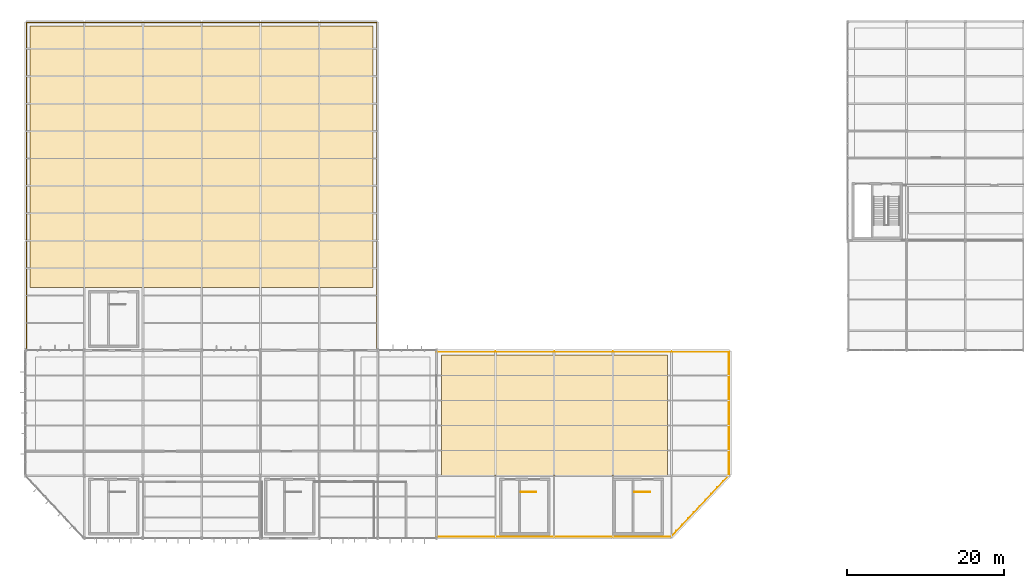
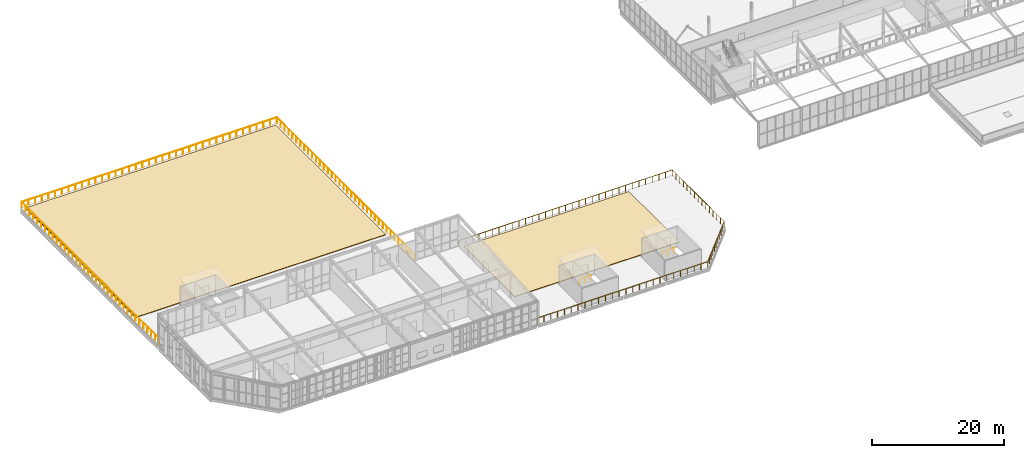
# One storey, part 102 of 104: 4 railings, 2 coverings.
"""IFC4 building model written with IfcOpenShell, lengths in metres."""

from ifc_helpers import new_model, si_unit, direction, frame, origin, origin_2d, place, context, subcontext, project, spatial, polyline, circle, outline, extrude, material, layer, layer_set, type_object, element, save


model = new_model("IFC4")

# Units and contexts
model_context = context("Model", 3, precision=1e-05, world=origin(), true_north=direction((0.0, 1.0)))
body_context = subcontext(model_context, "Body", "Model", "MODEL_VIEW")
ifc_project = project(units=[si_unit("LENGTHUNIT", "METRE"), si_unit("AREAUNIT", "SQUARE_METRE"), si_unit("VOLUMEUNIT", "CUBIC_METRE"), si_unit("PLANEANGLEUNIT", "RADIAN"), si_unit("MASSUNIT", "GRAM", prefix="KILO")], contexts=[model_context])

# Site, building, storey
site_placement = place(None, origin())
site = spatial("IfcSite", under=ifc_project, at=site_placement, CompositionType="ELEMENT")
building_placement = place(site_placement, origin())
building = spatial("IfcBuilding", under=site, at=building_placement, Name="Solvenia Promenade Tram Depot", CompositionType="ELEMENT")
storey_placement = place(building_placement, frame((0.0, 0.0, 9.0)))
storey = spatial("IfcBuildingStorey", under=building, at=storey_placement, Name="L02", CompositionType="ELEMENT", Elevation=9.0)

# Railings
ifc_material_1 = material(Name="Anodized aluminium AW-6063 T6", Category="aluminium")
railing_type_1 = type_object("IfcRailingType", Name="Guard-Stair-1100", PredefinedType="GUARDRAIL", material=ifc_material_1)
railing_1_placement = place(storey_placement, frame((63.25, 5.919921875, 0.0)))
element("IfcRailing", 1, at=railing_1_placement, inside=storey, type_object=railing_type_1, Name="Top Stairwell Guard C3", PredefinedType="GUARDRAIL", context=body_context, shape_type="SweptSolid", body=[
    extrude(circle(Radius=0.02392578125, at=origin_2d()), frame((0.0, 0.0, 1.09619140625), z_axis=(1.0, 0.0, 0.0), x_axis=(0.0, 1.0, 0.0)), (0.0, 0.0, 1.0), 1.93994140625),
    extrude(circle(Radius=0.02099609375, at=origin_2d()), origin(), (0.0, 0.0, 1.0), 1.072021484375),
    extrude(circle(Radius=0.02099609375, at=origin_2d()), frame((0.969970703125, 0.0, 0.0)), (0.0, 0.0, 1.0), 1.072021484375),
    extrude(circle(Radius=0.02099609375, at=origin_2d()), frame((1.93994140625, 0.0, 0.0)), (0.0, 0.0, 1.0), 1.072021484375),
])
railing_2_placement = place(storey_placement, frame((77.75, 5.919921875, 0.0)))
element("IfcRailing", 2, at=railing_2_placement, inside=storey, type_object=railing_type_1, Name="Top Stairwell Guard C4", PredefinedType="GUARDRAIL", context=body_context, shape_type="SweptSolid", body=[
    extrude(circle(Radius=0.02392578125, at=origin_2d()), frame((0.0, 0.0, 1.09619140625), z_axis=(1.0, 0.0, 0.0), x_axis=(0.0, 1.0, 0.0)), (0.0, 0.0, 1.0), 2.0),
    extrude(circle(Radius=0.02099609375, at=origin_2d()), origin(), (0.0, 0.0, 1.0), 1.072021484375),
    extrude(circle(Radius=0.02099609375, at=origin_2d()), frame((1.0, 0.0, 0.0)), (0.0, 0.0, 1.0), 1.072021484375),
    extrude(circle(Radius=0.02099609375, at=origin_2d()), frame((2.0, 0.0, 0.0)), (0.0, 0.0, 1.0), 1.072021484375),
])
railing_type_2 = type_object("IfcRailingType", Name="Guard-Terrace-1100", PredefinedType="GUARDRAIL", material=ifc_material_1)
railing_3_placement = place(storey_placement, frame((0.14990234375, 24.14990234375, 0.0)))
element("IfcRailing", 3, at=railing_3_placement, inside=storey, type_object=railing_type_2, Name="Safety Guardrail GR-TERR-L02-V3", PredefinedType="GUARDRAIL", context=body_context, shape_type="SweptSolid", body=[
    extrude(circle(Radius=0.02392578125, at=origin_2d()), frame((0.0, 0.0, 1.09619140625), z_axis=(0.0, 1.0, 0.0), x_axis=(-1.0, 0.0, 0.0)), (0.0, 0.0, 1.0), 41.7001953125),
    extrude(circle(Radius=0.02392578125, at=origin_2d()), frame((0.0, 41.7001953125, 1.09619140625), z_axis=(1.0, 0.0, 0.0), x_axis=(0.0, 1.0, 0.0)), (0.0, 0.0, 1.0), 44.7001953125),
    extrude(circle(Radius=0.02392578125, at=origin_2d()), frame((44.7001953125, 41.7001953125, 1.09619140625), z_axis=(0.0, -1.0, 0.0), x_axis=(1.0, 0.0, 0.0)), (0.0, 0.0, 1.0), 41.7001953125),
    extrude(circle(Radius=0.02099609375, at=origin_2d()), origin(), (0.0, 0.0, 1.0), 1.072021484375),
    extrude(circle(Radius=0.02099609375, at=origin_2d()), frame((0.0, 1.19140625, 0.0)), (0.0, 0.0, 1.0), 1.072021484375),
    extrude(circle(Radius=0.02099609375, at=origin_2d()), frame((0.0, 2.3828125, 0.0)), (0.0, 0.0, 1.0), 1.072021484375),
    extrude(circle(Radius=0.02099609375, at=origin_2d()), frame((0.0, 3.57421875, 0.0)), (0.0, 0.0, 1.0), 1.072021484375),
    extrude(circle(Radius=0.02099609375, at=origin_2d()), frame((0.0, 4.765625, 0.0)), (0.0, 0.0, 1.0), 1.072021484375),
    extrude(circle(Radius=0.02099609375, at=origin_2d()), frame((0.0, 5.957275390625, 0.0)), (0.0, 0.0, 1.0), 1.072021484375),
    extrude(circle(Radius=0.02099609375, at=origin_2d()), frame((0.0, 7.148681640625, 0.0)), (0.0, 0.0, 1.0), 1.072021484375),
    extrude(circle(Radius=0.02099609375, at=origin_2d()), frame((0.0, 8.340087890625, 0.0)), (0.0, 0.0, 1.0), 1.072021484375),
    extrude(circle(Radius=0.02099609375, at=origin_2d()), frame((0.0, 9.531494140625, 0.0)), (0.0, 0.0, 1.0), 1.072021484375),
    extrude(circle(Radius=0.02099609375, at=origin_2d()), frame((0.0, 10.722900390625, 0.0)), (0.0, 0.0, 1.0), 1.072021484375),
    extrude(circle(Radius=0.02099609375, at=origin_2d()), frame((0.0, 11.914306640625, 0.0)), (0.0, 0.0, 1.0), 1.072021484375),
    extrude(circle(Radius=0.02099609375, at=origin_2d()), frame((0.0, 13.105712890625, 0.0)), (0.0, 0.0, 1.0), 1.072021484375),
    extrude(circle(Radius=0.02099609375, at=origin_2d()), frame((0.0, 14.297119140625, 0.0)), (0.0, 0.0, 1.0), 1.072021484375),
    extrude(circle(Radius=0.02099609375, at=origin_2d()), frame((0.0, 15.488525390625, 0.0)), (0.0, 0.0, 1.0), 1.072021484375),
    extrude(circle(Radius=0.02099609375, at=origin_2d()), frame((0.0, 16.68017578125, 0.0)), (0.0, 0.0, 1.0), 1.072021484375),
    extrude(circle(Radius=0.02099609375, at=origin_2d()), frame((0.0, 17.87158203125, 0.0)), (0.0, 0.0, 1.0), 1.072021484375),
    extrude(circle(Radius=0.02099609375, at=origin_2d()), frame((0.0, 19.06298828125, 0.0)), (0.0, 0.0, 1.0), 1.072021484375),
    extrude(circle(Radius=0.02099609375, at=origin_2d()), frame((0.0, 20.25439453125, 0.0)), (0.0, 0.0, 1.0), 1.072021484375),
    extrude(circle(Radius=0.02099609375, at=origin_2d()), frame((0.0, 21.44580078125, 0.0)), (0.0, 0.0, 1.0), 1.072021484375),
    extrude(circle(Radius=0.02099609375, at=origin_2d()), frame((0.0, 22.63720703125, 0.0)), (0.0, 0.0, 1.0), 1.072021484375),
    extrude(circle(Radius=0.02099609375, at=origin_2d()), frame((0.0, 23.82861328125, 0.0)), (0.0, 0.0, 1.0), 1.072021484375),
    extrude(circle(Radius=0.02099609375, at=origin_2d()), frame((0.0, 25.02001953125, 0.0)), (0.0, 0.0, 1.0), 1.072021484375),
    extrude(circle(Radius=0.02099609375, at=origin_2d()), frame((0.0, 26.211669921875, 0.0)), (0.0, 0.0, 1.0), 1.072021484375),
    extrude(circle(Radius=0.02099609375, at=origin_2d()), frame((0.0, 27.403076171875, 0.0)), (0.0, 0.0, 1.0), 1.072021484375),
    extrude(circle(Radius=0.02099609375, at=origin_2d()), frame((0.0, 28.594482421875, 0.0)), (0.0, 0.0, 1.0), 1.072021484375),
    extrude(circle(Radius=0.02099609375, at=origin_2d()), frame((0.0, 29.785888671875, 0.0)), (0.0, 0.0, 1.0), 1.072021484375),
    extrude(circle(Radius=0.02099609375, at=origin_2d()), frame((0.0, 30.977294921875, 0.0)), (0.0, 0.0, 1.0), 1.072021484375),
    extrude(circle(Radius=0.02099609375, at=origin_2d()), frame((0.0, 32.168701171875, 0.0)), (0.0, 0.0, 1.0), 1.072021484375),
    extrude(circle(Radius=0.02099609375, at=origin_2d()), frame((0.0, 33.360107421875, 0.0)), (0.0, 0.0, 1.0), 1.072021484375),
    extrude(circle(Radius=0.02099609375, at=origin_2d()), frame((0.0, 34.551513671875, 0.0)), (0.0, 0.0, 1.0), 1.072021484375),
    extrude(circle(Radius=0.02099609375, at=origin_2d()), frame((0.0, 35.742919921875, 0.0)), (0.0, 0.0, 1.0), 1.072021484375),
    extrude(circle(Radius=0.02099609375, at=origin_2d()), frame((0.0, 36.9345703125, 0.0)), (0.0, 0.0, 1.0), 1.072021484375),
    extrude(circle(Radius=0.02099609375, at=origin_2d()), frame((0.0, 38.1259765625, 0.0)), (0.0, 0.0, 1.0), 1.072021484375),
    extrude(circle(Radius=0.02099609375, at=origin_2d()), frame((0.0, 39.3173828125, 0.0)), (0.0, 0.0, 1.0), 1.072021484375),
    extrude(circle(Radius=0.02099609375, at=origin_2d()), frame((0.0, 40.5087890625, 0.0)), (0.0, 0.0, 1.0), 1.072021484375),
    extrude(circle(Radius=0.02099609375, at=origin_2d()), frame((0.0, 41.7001953125, 0.0)), (0.0, 0.0, 1.0), 1.072021484375),
    extrude(circle(Radius=0.02099609375, at=origin_2d()), frame((1.17626953125, 41.7001953125, 0.0)), (0.0, 0.0, 1.0), 1.072021484375),
    extrude(circle(Radius=0.02099609375, at=origin_2d()), frame((2.3525390625, 41.7001953125, 0.0)), (0.0, 0.0, 1.0), 1.072021484375),
    extrude(circle(Radius=0.02099609375, at=origin_2d()), frame((3.529052734375, 41.7001953125, 0.0)), (0.0, 0.0, 1.0), 1.072021484375),
    extrude(circle(Radius=0.02099609375, at=origin_2d()), frame((4.705322265625, 41.7001953125, 0.0)), (0.0, 0.0, 1.0), 1.072021484375),
    extrude(circle(Radius=0.02099609375, at=origin_2d()), frame((5.881591796875, 41.7001953125, 0.0)), (0.0, 0.0, 1.0), 1.072021484375),
    extrude(circle(Radius=0.02099609375, at=origin_2d()), frame((7.057861328125, 41.7001953125, 0.0)), (0.0, 0.0, 1.0), 1.072021484375),
    extrude(circle(Radius=0.02099609375, at=origin_2d()), frame((8.234130859375, 41.7001953125, 0.0)), (0.0, 0.0, 1.0), 1.072021484375),
    extrude(circle(Radius=0.02099609375, at=origin_2d()), frame((9.41064453125, 41.7001953125, 0.0)), (0.0, 0.0, 1.0), 1.072021484375),
    extrude(circle(Radius=0.02099609375, at=origin_2d()), frame((10.5869140625, 41.7001953125, 0.0)), (0.0, 0.0, 1.0), 1.072021484375),
    extrude(circle(Radius=0.02099609375, at=origin_2d()), frame((11.76318359375, 41.7001953125, 0.0)), (0.0, 0.0, 1.0), 1.072021484375),
    extrude(circle(Radius=0.02099609375, at=origin_2d()), frame((12.939453125, 41.7001953125, 0.0)), (0.0, 0.0, 1.0), 1.072021484375),
    extrude(circle(Radius=0.02099609375, at=origin_2d()), frame((14.115966796875, 41.7001953125, 0.0)), (0.0, 0.0, 1.0), 1.072021484375),
    extrude(circle(Radius=0.02099609375, at=origin_2d()), frame((15.292236328125, 41.7001953125, 0.0)), (0.0, 0.0, 1.0), 1.072021484375),
    extrude(circle(Radius=0.02099609375, at=origin_2d()), frame((16.468505859375, 41.7001953125, 0.0)), (0.0, 0.0, 1.0), 1.072021484375),
    extrude(circle(Radius=0.02099609375, at=origin_2d()), frame((17.644775390625, 41.7001953125, 0.0)), (0.0, 0.0, 1.0), 1.072021484375),
    extrude(circle(Radius=0.02099609375, at=origin_2d()), frame((18.821044921875, 41.7001953125, 0.0)), (0.0, 0.0, 1.0), 1.072021484375),
    extrude(circle(Radius=0.02099609375, at=origin_2d()), frame((19.99755859375, 41.7001953125, 0.0)), (0.0, 0.0, 1.0), 1.072021484375),
    extrude(circle(Radius=0.02099609375, at=origin_2d()), frame((21.173828125, 41.7001953125, 0.0)), (0.0, 0.0, 1.0), 1.072021484375),
    extrude(circle(Radius=0.02099609375, at=origin_2d()), frame((22.35009765625, 41.7001953125, 0.0)), (0.0, 0.0, 1.0), 1.072021484375),
    extrude(circle(Radius=0.02099609375, at=origin_2d()), frame((23.5263671875, 41.7001953125, 0.0)), (0.0, 0.0, 1.0), 1.072021484375),
    extrude(circle(Radius=0.02099609375, at=origin_2d()), frame((24.70263671875, 41.7001953125, 0.0)), (0.0, 0.0, 1.0), 1.072021484375),
    extrude(circle(Radius=0.02099609375, at=origin_2d()), frame((25.879150390625, 41.7001953125, 0.0)), (0.0, 0.0, 1.0), 1.072021484375),
    extrude(circle(Radius=0.02099609375, at=origin_2d()), frame((27.055419921875, 41.7001953125, 0.0)), (0.0, 0.0, 1.0), 1.072021484375),
    extrude(circle(Radius=0.02099609375, at=origin_2d()), frame((28.231689453125, 41.7001953125, 0.0)), (0.0, 0.0, 1.0), 1.072021484375),
    extrude(circle(Radius=0.02099609375, at=origin_2d()), frame((29.407958984375, 41.7001953125, 0.0)), (0.0, 0.0, 1.0), 1.072021484375),
    extrude(circle(Radius=0.02099609375, at=origin_2d()), frame((30.584228515625, 41.7001953125, 0.0)), (0.0, 0.0, 1.0), 1.072021484375),
    extrude(circle(Radius=0.02099609375, at=origin_2d()), frame((31.7607421875, 41.7001953125, 0.0)), (0.0, 0.0, 1.0), 1.072021484375),
    extrude(circle(Radius=0.02099609375, at=origin_2d()), frame((32.93701171875, 41.7001953125, 0.0)), (0.0, 0.0, 1.0), 1.072021484375),
    extrude(circle(Radius=0.02099609375, at=origin_2d()), frame((34.11328125, 41.7001953125, 0.0)), (0.0, 0.0, 1.0), 1.072021484375),
    extrude(circle(Radius=0.02099609375, at=origin_2d()), frame((35.28955078125, 41.7001953125, 0.0)), (0.0, 0.0, 1.0), 1.072021484375),
    extrude(circle(Radius=0.02099609375, at=origin_2d()), frame((36.466064453125, 41.7001953125, 0.0)), (0.0, 0.0, 1.0), 1.072021484375),
    extrude(circle(Radius=0.02099609375, at=origin_2d()), frame((37.642333984375, 41.7001953125, 0.0)), (0.0, 0.0, 1.0), 1.072021484375),
    extrude(circle(Radius=0.02099609375, at=origin_2d()), frame((38.818603515625, 41.7001953125, 0.0)), (0.0, 0.0, 1.0), 1.072021484375),
    extrude(circle(Radius=0.02099609375, at=origin_2d()), frame((39.994873046875, 41.7001953125, 0.0)), (0.0, 0.0, 1.0), 1.072021484375),
    extrude(circle(Radius=0.02099609375, at=origin_2d()), frame((41.171142578125, 41.7001953125, 0.0)), (0.0, 0.0, 1.0), 1.072021484375),
    extrude(circle(Radius=0.02099609375, at=origin_2d()), frame((42.34765625, 41.7001953125, 0.0)), (0.0, 0.0, 1.0), 1.072021484375),
    extrude(circle(Radius=0.02099609375, at=origin_2d()), frame((43.52392578125, 41.7001953125, 0.0)), (0.0, 0.0, 1.0), 1.072021484375),
    extrude(circle(Radius=0.02099609375, at=origin_2d()), frame((44.7001953125, 41.7001953125, 0.0)), (0.0, 0.0, 1.0), 1.072021484375),
    extrude(circle(Radius=0.02099609375, at=origin_2d()), frame((44.7001953125, 40.5087890625, 0.0)), (0.0, 0.0, 1.0), 1.072021484375),
    extrude(circle(Radius=0.02099609375, at=origin_2d()), frame((44.7001953125, 39.3173828125, 0.0)), (0.0, 0.0, 1.0), 1.072021484375),
    extrude(circle(Radius=0.02099609375, at=origin_2d()), frame((44.7001953125, 38.1259765625, 0.0)), (0.0, 0.0, 1.0), 1.072021484375),
    extrude(circle(Radius=0.02099609375, at=origin_2d()), frame((44.7001953125, 36.9345703125, 0.0)), (0.0, 0.0, 1.0), 1.072021484375),
    extrude(circle(Radius=0.02099609375, at=origin_2d()), frame((44.7001953125, 35.742919921875, 0.0)), (0.0, 0.0, 1.0), 1.072021484375),
    extrude(circle(Radius=0.02099609375, at=origin_2d()), frame((44.7001953125, 34.551513671875, 0.0)), (0.0, 0.0, 1.0), 1.072021484375),
    extrude(circle(Radius=0.02099609375, at=origin_2d()), frame((44.7001953125, 33.360107421875, 0.0)), (0.0, 0.0, 1.0), 1.072021484375),
    extrude(circle(Radius=0.02099609375, at=origin_2d()), frame((44.7001953125, 32.168701171875, 0.0)), (0.0, 0.0, 1.0), 1.072021484375),
    extrude(circle(Radius=0.02099609375, at=origin_2d()), frame((44.7001953125, 30.977294921875, 0.0)), (0.0, 0.0, 1.0), 1.072021484375),
    extrude(circle(Radius=0.02099609375, at=origin_2d()), frame((44.7001953125, 29.785888671875, 0.0)), (0.0, 0.0, 1.0), 1.072021484375),
    extrude(circle(Radius=0.02099609375, at=origin_2d()), frame((44.7001953125, 28.594482421875, 0.0)), (0.0, 0.0, 1.0), 1.072021484375),
    extrude(circle(Radius=0.02099609375, at=origin_2d()), frame((44.7001953125, 27.403076171875, 0.0)), (0.0, 0.0, 1.0), 1.072021484375),
    extrude(circle(Radius=0.02099609375, at=origin_2d()), frame((44.7001953125, 26.211669921875, 0.0)), (0.0, 0.0, 1.0), 1.072021484375),
    extrude(circle(Radius=0.02099609375, at=origin_2d()), frame((44.7001953125, 25.02001953125, 0.0)), (0.0, 0.0, 1.0), 1.072021484375),
    extrude(circle(Radius=0.02099609375, at=origin_2d()), frame((44.7001953125, 23.82861328125, 0.0)), (0.0, 0.0, 1.0), 1.072021484375),
    extrude(circle(Radius=0.02099609375, at=origin_2d()), frame((44.7001953125, 22.63720703125, 0.0)), (0.0, 0.0, 1.0), 1.072021484375),
    extrude(circle(Radius=0.02099609375, at=origin_2d()), frame((44.7001953125, 21.44580078125, 0.0)), (0.0, 0.0, 1.0), 1.072021484375),
    extrude(circle(Radius=0.02099609375, at=origin_2d()), frame((44.7001953125, 20.25439453125, 0.0)), (0.0, 0.0, 1.0), 1.072021484375),
    extrude(circle(Radius=0.02099609375, at=origin_2d()), frame((44.7001953125, 19.06298828125, 0.0)), (0.0, 0.0, 1.0), 1.072021484375),
    extrude(circle(Radius=0.02099609375, at=origin_2d()), frame((44.7001953125, 17.87158203125, 0.0)), (0.0, 0.0, 1.0), 1.072021484375),
    extrude(circle(Radius=0.02099609375, at=origin_2d()), frame((44.7001953125, 16.68017578125, 0.0)), (0.0, 0.0, 1.0), 1.072021484375),
    extrude(circle(Radius=0.02099609375, at=origin_2d()), frame((44.7001953125, 15.488525390625, 0.0)), (0.0, 0.0, 1.0), 1.072021484375),
    extrude(circle(Radius=0.02099609375, at=origin_2d()), frame((44.7001953125, 14.297119140625, 0.0)), (0.0, 0.0, 1.0), 1.072021484375),
    extrude(circle(Radius=0.02099609375, at=origin_2d()), frame((44.7001953125, 13.105712890625, 0.0)), (0.0, 0.0, 1.0), 1.072021484375),
    extrude(circle(Radius=0.02099609375, at=origin_2d()), frame((44.7001953125, 11.914306640625, 0.0)), (0.0, 0.0, 1.0), 1.072021484375),
    extrude(circle(Radius=0.02099609375, at=origin_2d()), frame((44.7001953125, 10.722900390625, 0.0)), (0.0, 0.0, 1.0), 1.072021484375),
    extrude(circle(Radius=0.02099609375, at=origin_2d()), frame((44.7001953125, 9.531494140625, 0.0)), (0.0, 0.0, 1.0), 1.072021484375),
    extrude(circle(Radius=0.02099609375, at=origin_2d()), frame((44.7001953125, 8.340087890625, 0.0)), (0.0, 0.0, 1.0), 1.072021484375),
    extrude(circle(Radius=0.02099609375, at=origin_2d()), frame((44.7001953125, 7.148681640625, 0.0)), (0.0, 0.0, 1.0), 1.072021484375),
    extrude(circle(Radius=0.02099609375, at=origin_2d()), frame((44.7001953125, 5.957275390625, 0.0)), (0.0, 0.0, 1.0), 1.072021484375),
    extrude(circle(Radius=0.02099609375, at=origin_2d()), frame((44.7001953125, 4.765625, 0.0)), (0.0, 0.0, 1.0), 1.072021484375),
    extrude(circle(Radius=0.02099609375, at=origin_2d()), frame((44.7001953125, 3.57421875, 0.0)), (0.0, 0.0, 1.0), 1.072021484375),
    extrude(circle(Radius=0.02099609375, at=origin_2d()), frame((44.7001953125, 2.3828125, 0.0)), (0.0, 0.0, 1.0), 1.072021484375),
    extrude(circle(Radius=0.02099609375, at=origin_2d()), frame((44.7001953125, 1.19140625, 0.0)), (0.0, 0.0, 1.0), 1.072021484375),
    extrude(circle(Radius=0.02099609375, at=origin_2d()), frame((44.7001953125, 0.0, 0.0)), (0.0, 0.0, 1.0), 1.072021484375),
])
railing_4_placement = place(storey_placement, frame((52.5, 0.14990234375, 0.0)))
element("IfcRailing", 4, at=railing_4_placement, inside=storey, type_object=railing_type_2, Name="Safety Guardrail GR-TERR-L02-V4", PredefinedType="GUARDRAIL", context=body_context, shape_type="SweptSolid", body=[
    extrude(circle(Radius=0.02392578125, at=origin_2d()), frame((0.0, 0.0, 1.09619140625), z_axis=(1.0, 0.0, 0.0), x_axis=(0.0, 1.0, 0.0)), (0.0, 0.0, 1.0), 29.89990234375),
    extrude(circle(Radius=0.02392578125, at=origin_2d()), frame((29.89990234375, 0.0, 1.09619140625), z_axis=(0.686085298011, 0.727521108872, 0.0), x_axis=(-0.727521108872, 0.686085298011, 0.0)), (0.0, 0.0, 1.0), 10.85888671875),
    extrude(circle(Radius=0.02392578125, at=origin_2d()), frame((37.35009765625, 7.900146484375, 1.09619140625), z_axis=(0.0, 1.0, 0.0), x_axis=(-1.0, 0.0, 0.0)), (0.0, 0.0, 1.0), 15.800048828125),
    extrude(circle(Radius=0.02392578125, at=origin_2d()), frame((37.35009765625, 23.7001953125, 1.09619140625), z_axis=(-1.0, 0.0, 0.0), x_axis=(0.0, -1.0, 0.0)), (0.0, 0.0, 1.0), 37.35009765625),
    extrude(circle(Radius=0.02099609375, at=origin_2d()), origin(), (0.0, 0.0, 1.0), 1.072021484375),
    extrude(circle(Radius=0.02099609375, at=origin_2d()), frame((1.196044921875, 0.0, 0.0)), (0.0, 0.0, 1.0), 1.072021484375),
    extrude(circle(Radius=0.02099609375, at=origin_2d()), frame((2.39208984375, 0.0, 0.0)), (0.0, 0.0, 1.0), 1.072021484375),
    extrude(circle(Radius=0.02099609375, at=origin_2d()), frame((3.587890625, 0.0, 0.0)), (0.0, 0.0, 1.0), 1.072021484375),
    extrude(circle(Radius=0.02099609375, at=origin_2d()), frame((4.783935546875, 0.0, 0.0)), (0.0, 0.0, 1.0), 1.072021484375),
    extrude(circle(Radius=0.02099609375, at=origin_2d()), frame((5.97998046875, 0.0, 0.0)), (0.0, 0.0, 1.0), 1.072021484375),
    extrude(circle(Radius=0.02099609375, at=origin_2d()), frame((7.176025390625, 0.0, 0.0)), (0.0, 0.0, 1.0), 1.072021484375),
    extrude(circle(Radius=0.02099609375, at=origin_2d()), frame((8.3720703125, 0.0, 0.0)), (0.0, 0.0, 1.0), 1.072021484375),
    extrude(circle(Radius=0.02099609375, at=origin_2d()), frame((9.56787109375, 0.0, 0.0)), (0.0, 0.0, 1.0), 1.072021484375),
    extrude(circle(Radius=0.02099609375, at=origin_2d()), frame((10.763916015625, 0.0, 0.0)), (0.0, 0.0, 1.0), 1.072021484375),
    extrude(circle(Radius=0.02099609375, at=origin_2d()), frame((11.9599609375, 0.0, 0.0)), (0.0, 0.0, 1.0), 1.072021484375),
    extrude(circle(Radius=0.02099609375, at=origin_2d()), frame((13.156005859375, 0.0, 0.0)), (0.0, 0.0, 1.0), 1.072021484375),
    extrude(circle(Radius=0.02099609375, at=origin_2d()), frame((14.35205078125, 0.0, 0.0)), (0.0, 0.0, 1.0), 1.072021484375),
    extrude(circle(Radius=0.02099609375, at=origin_2d()), frame((15.5478515625, 0.0, 0.0)), (0.0, 0.0, 1.0), 1.072021484375),
    extrude(circle(Radius=0.02099609375, at=origin_2d()), frame((16.743896484375, 0.0, 0.0)), (0.0, 0.0, 1.0), 1.072021484375),
    extrude(circle(Radius=0.02099609375, at=origin_2d()), frame((17.93994140625, 0.0, 0.0)), (0.0, 0.0, 1.0), 1.072021484375),
    extrude(circle(Radius=0.02099609375, at=origin_2d()), frame((19.135986328125, 0.0, 0.0)), (0.0, 0.0, 1.0), 1.072021484375),
    extrude(circle(Radius=0.02099609375, at=origin_2d()), frame((20.33203125, 0.0, 0.0)), (0.0, 0.0, 1.0), 1.072021484375),
    extrude(circle(Radius=0.02099609375, at=origin_2d()), frame((21.52783203125, 0.0, 0.0)), (0.0, 0.0, 1.0), 1.072021484375),
    extrude(circle(Radius=0.02099609375, at=origin_2d()), frame((22.723876953125, 0.0, 0.0)), (0.0, 0.0, 1.0), 1.072021484375),
    extrude(circle(Radius=0.02099609375, at=origin_2d()), frame((23.919921875, 0.0, 0.0)), (0.0, 0.0, 1.0), 1.072021484375),
    extrude(circle(Radius=0.02099609375, at=origin_2d()), frame((25.115966796875, 0.0, 0.0)), (0.0, 0.0, 1.0), 1.072021484375),
    extrude(circle(Radius=0.02099609375, at=origin_2d()), frame((26.31201171875, 0.0, 0.0)), (0.0, 0.0, 1.0), 1.072021484375),
    extrude(circle(Radius=0.02099609375, at=origin_2d()), frame((27.5078125, 0.0, 0.0)), (0.0, 0.0, 1.0), 1.072021484375),
    extrude(circle(Radius=0.02099609375, at=origin_2d()), frame((28.703857421875, 0.0, 0.0)), (0.0, 0.0, 1.0), 1.072021484375),
    extrude(circle(Radius=0.02099609375, at=origin_2d()), frame((29.89990234375, 0.0, 0.0)), (0.0, 0.0, 1.0), 1.072021484375),
    extrude(circle(Radius=0.02099609375, at=origin_2d()), frame((30.64501953125, 0.7900390625, 0.0)), (0.0, 0.0, 1.0), 1.072021484375),
    extrude(circle(Radius=0.02099609375, at=origin_2d()), frame((31.389892578125, 1.580078125, 0.0)), (0.0, 0.0, 1.0), 1.072021484375),
    extrude(circle(Radius=0.02099609375, at=origin_2d()), frame((32.135009765625, 2.3701171875, 0.0)), (0.0, 0.0, 1.0), 1.072021484375),
    extrude(circle(Radius=0.02099609375, at=origin_2d()), frame((32.8798828125, 3.16015625, 0.0)), (0.0, 0.0, 1.0), 1.072021484375),
    extrude(circle(Radius=0.02099609375, at=origin_2d()), frame((33.625, 3.9501953125, 0.0)), (0.0, 0.0, 1.0), 1.072021484375),
    extrude(circle(Radius=0.02099609375, at=origin_2d()), frame((34.3701171875, 4.739990234375, 0.0)), (0.0, 0.0, 1.0), 1.072021484375),
    extrude(circle(Radius=0.02099609375, at=origin_2d()), frame((35.114990234375, 5.530029296875, 0.0)), (0.0, 0.0, 1.0), 1.072021484375),
    extrude(circle(Radius=0.02099609375, at=origin_2d()), frame((35.860107421875, 6.320068359375, 0.0)), (0.0, 0.0, 1.0), 1.072021484375),
    extrude(circle(Radius=0.02099609375, at=origin_2d()), frame((36.60498046875, 7.110107421875, 0.0)), (0.0, 0.0, 1.0), 1.072021484375),
    extrude(circle(Radius=0.02099609375, at=origin_2d()), frame((37.35009765625, 7.900146484375, 0.0)), (0.0, 0.0, 1.0), 1.072021484375),
    extrude(circle(Radius=0.02099609375, at=origin_2d()), frame((37.35009765625, 9.02880859375, 0.0)), (0.0, 0.0, 1.0), 1.072021484375),
    extrude(circle(Radius=0.02099609375, at=origin_2d()), frame((37.35009765625, 10.1572265625, 0.0)), (0.0, 0.0, 1.0), 1.072021484375),
    extrude(circle(Radius=0.02099609375, at=origin_2d()), frame((37.35009765625, 11.285888671875, 0.0)), (0.0, 0.0, 1.0), 1.072021484375),
    extrude(circle(Radius=0.02099609375, at=origin_2d()), frame((37.35009765625, 12.41455078125, 0.0)), (0.0, 0.0, 1.0), 1.072021484375),
    extrude(circle(Radius=0.02099609375, at=origin_2d()), frame((37.35009765625, 13.54296875, 0.0)), (0.0, 0.0, 1.0), 1.072021484375),
    extrude(circle(Radius=0.02099609375, at=origin_2d()), frame((37.35009765625, 14.671630859375, 0.0)), (0.0, 0.0, 1.0), 1.072021484375),
    extrude(circle(Radius=0.02099609375, at=origin_2d()), frame((37.35009765625, 15.80029296875, 0.0)), (0.0, 0.0, 1.0), 1.072021484375),
    extrude(circle(Radius=0.02099609375, at=origin_2d()), frame((37.35009765625, 16.9287109375, 0.0)), (0.0, 0.0, 1.0), 1.072021484375),
    extrude(circle(Radius=0.02099609375, at=origin_2d()), frame((37.35009765625, 18.057373046875, 0.0)), (0.0, 0.0, 1.0), 1.072021484375),
    extrude(circle(Radius=0.02099609375, at=origin_2d()), frame((37.35009765625, 19.185791015625, 0.0)), (0.0, 0.0, 1.0), 1.072021484375),
    extrude(circle(Radius=0.02099609375, at=origin_2d()), frame((37.35009765625, 20.314453125, 0.0)), (0.0, 0.0, 1.0), 1.072021484375),
    extrude(circle(Radius=0.02099609375, at=origin_2d()), frame((37.35009765625, 21.443115234375, 0.0)), (0.0, 0.0, 1.0), 1.072021484375),
    extrude(circle(Radius=0.02099609375, at=origin_2d()), frame((37.35009765625, 22.571533203125, 0.0)), (0.0, 0.0, 1.0), 1.072021484375),
    extrude(circle(Radius=0.02099609375, at=origin_2d()), frame((37.35009765625, 23.7001953125, 0.0)), (0.0, 0.0, 1.0), 1.072021484375),
    extrude(circle(Radius=0.02099609375, at=origin_2d()), frame((36.182861328125, 23.7001953125, 0.0)), (0.0, 0.0, 1.0), 1.072021484375),
    extrude(circle(Radius=0.02099609375, at=origin_2d()), frame((35.015625, 23.7001953125, 0.0)), (0.0, 0.0, 1.0), 1.072021484375),
    extrude(circle(Radius=0.02099609375, at=origin_2d()), frame((33.8486328125, 23.7001953125, 0.0)), (0.0, 0.0, 1.0), 1.072021484375),
    extrude(circle(Radius=0.02099609375, at=origin_2d()), frame((32.681396484375, 23.7001953125, 0.0)), (0.0, 0.0, 1.0), 1.072021484375),
    extrude(circle(Radius=0.02099609375, at=origin_2d()), frame((31.51416015625, 23.7001953125, 0.0)), (0.0, 0.0, 1.0), 1.072021484375),
    extrude(circle(Radius=0.02099609375, at=origin_2d()), frame((30.346923828125, 23.7001953125, 0.0)), (0.0, 0.0, 1.0), 1.072021484375),
    extrude(circle(Radius=0.02099609375, at=origin_2d()), frame((29.1796875, 23.7001953125, 0.0)), (0.0, 0.0, 1.0), 1.072021484375),
    extrude(circle(Radius=0.02099609375, at=origin_2d()), frame((28.0126953125, 23.7001953125, 0.0)), (0.0, 0.0, 1.0), 1.072021484375),
    extrude(circle(Radius=0.02099609375, at=origin_2d()), frame((26.845458984375, 23.7001953125, 0.0)), (0.0, 0.0, 1.0), 1.072021484375),
    extrude(circle(Radius=0.02099609375, at=origin_2d()), frame((25.67822265625, 23.7001953125, 0.0)), (0.0, 0.0, 1.0), 1.072021484375),
    extrude(circle(Radius=0.02099609375, at=origin_2d()), frame((24.510986328125, 23.7001953125, 0.0)), (0.0, 0.0, 1.0), 1.072021484375),
    extrude(circle(Radius=0.02099609375, at=origin_2d()), frame((23.34375, 23.7001953125, 0.0)), (0.0, 0.0, 1.0), 1.072021484375),
    extrude(circle(Radius=0.02099609375, at=origin_2d()), frame((22.176513671875, 23.7001953125, 0.0)), (0.0, 0.0, 1.0), 1.072021484375),
    extrude(circle(Radius=0.02099609375, at=origin_2d()), frame((21.009521484375, 23.7001953125, 0.0)), (0.0, 0.0, 1.0), 1.072021484375),
    extrude(circle(Radius=0.02099609375, at=origin_2d()), frame((19.84228515625, 23.7001953125, 0.0)), (0.0, 0.0, 1.0), 1.072021484375),
    extrude(circle(Radius=0.02099609375, at=origin_2d()), frame((18.675048828125, 23.7001953125, 0.0)), (0.0, 0.0, 1.0), 1.072021484375),
    extrude(circle(Radius=0.02099609375, at=origin_2d()), frame((17.5078125, 23.7001953125, 0.0)), (0.0, 0.0, 1.0), 1.072021484375),
    extrude(circle(Radius=0.02099609375, at=origin_2d()), frame((16.340576171875, 23.7001953125, 0.0)), (0.0, 0.0, 1.0), 1.072021484375),
    extrude(circle(Radius=0.02099609375, at=origin_2d()), frame((15.173583984375, 23.7001953125, 0.0)), (0.0, 0.0, 1.0), 1.072021484375),
    extrude(circle(Radius=0.02099609375, at=origin_2d()), frame((14.00634765625, 23.7001953125, 0.0)), (0.0, 0.0, 1.0), 1.072021484375),
    extrude(circle(Radius=0.02099609375, at=origin_2d()), frame((12.839111328125, 23.7001953125, 0.0)), (0.0, 0.0, 1.0), 1.072021484375),
    extrude(circle(Radius=0.02099609375, at=origin_2d()), frame((11.671875, 23.7001953125, 0.0)), (0.0, 0.0, 1.0), 1.072021484375),
    extrude(circle(Radius=0.02099609375, at=origin_2d()), frame((10.504638671875, 23.7001953125, 0.0)), (0.0, 0.0, 1.0), 1.072021484375),
    extrude(circle(Radius=0.02099609375, at=origin_2d()), frame((9.33740234375, 23.7001953125, 0.0)), (0.0, 0.0, 1.0), 1.072021484375),
    extrude(circle(Radius=0.02099609375, at=origin_2d()), frame((8.17041015625, 23.7001953125, 0.0)), (0.0, 0.0, 1.0), 1.072021484375),
    extrude(circle(Radius=0.02099609375, at=origin_2d()), frame((7.003173828125, 23.7001953125, 0.0)), (0.0, 0.0, 1.0), 1.072021484375),
    extrude(circle(Radius=0.02099609375, at=origin_2d()), frame((5.8359375, 23.7001953125, 0.0)), (0.0, 0.0, 1.0), 1.072021484375),
    extrude(circle(Radius=0.02099609375, at=origin_2d()), frame((4.668701171875, 23.7001953125, 0.0)), (0.0, 0.0, 1.0), 1.072021484375),
    extrude(circle(Radius=0.02099609375, at=origin_2d()), frame((3.50146484375, 23.7001953125, 0.0)), (0.0, 0.0, 1.0), 1.072021484375),
    extrude(circle(Radius=0.02099609375, at=origin_2d()), frame((2.33447265625, 23.7001953125, 0.0)), (0.0, 0.0, 1.0), 1.072021484375),
    extrude(circle(Radius=0.02099609375, at=origin_2d()), frame((1.167236328125, 23.7001953125, 0.0)), (0.0, 0.0, 1.0), 1.072021484375),
    extrude(circle(Radius=0.02099609375, at=origin_2d()), frame((0.0, 23.7001953125, 0.0)), (0.0, 0.0, 1.0), 1.072021484375),
])

# Coverings
ifc_material_2 = material(Name="Planted highland SUDS green roof substrate", Category="other")
ifc_layer = layer(ifc_material_2, 0.1201171875, Name="Planted highland SUDS green roof substrate", Category="other")
ifc_layer_set = layer_set([ifc_layer], Name="Planted highland SUDS green roof substrate")
covering_type = type_object("IfcCoveringType", Name="Roofing-Green-120", PredefinedType="ROOFING", material=ifc_layer_set)
covering_1_placement = place(storey_placement, origin())
element("IfcCovering", 5, at=covering_1_placement, inside=storey, type_object=covering_type, Name="Planted SUDS Substrate 01", PredefinedType="ROOFING", context=body_context, shape_type="SweptSolid", body=[
    extrude(outline(polyline([(0.60009765625, 32.0), (44.39990234375, 32.0), (44.39990234375, 65.39990234375), (0.60009765625, 65.39990234375), (0.60009765625, 32.0)])), origin(), (0.0, 0.0, 1.0), 0.1201171875),
])
covering_2_placement = place(storey_placement, origin())
element("IfcCovering", 6, at=covering_2_placement, inside=storey, type_object=covering_type, Name="Planted SUDS Substrate 02", PredefinedType="ROOFING", context=body_context, shape_type="SweptSolid", body=[
    extrude(outline(polyline([(53.10009765625, 8.0), (82.0, 8.0), (82.0, 23.39990234375), (53.10009765625, 23.39990234375), (53.10009765625, 8.0)])), origin(), (0.0, 0.0, 1.0), 0.1201171875),
])

save(model, "model.ifc")
